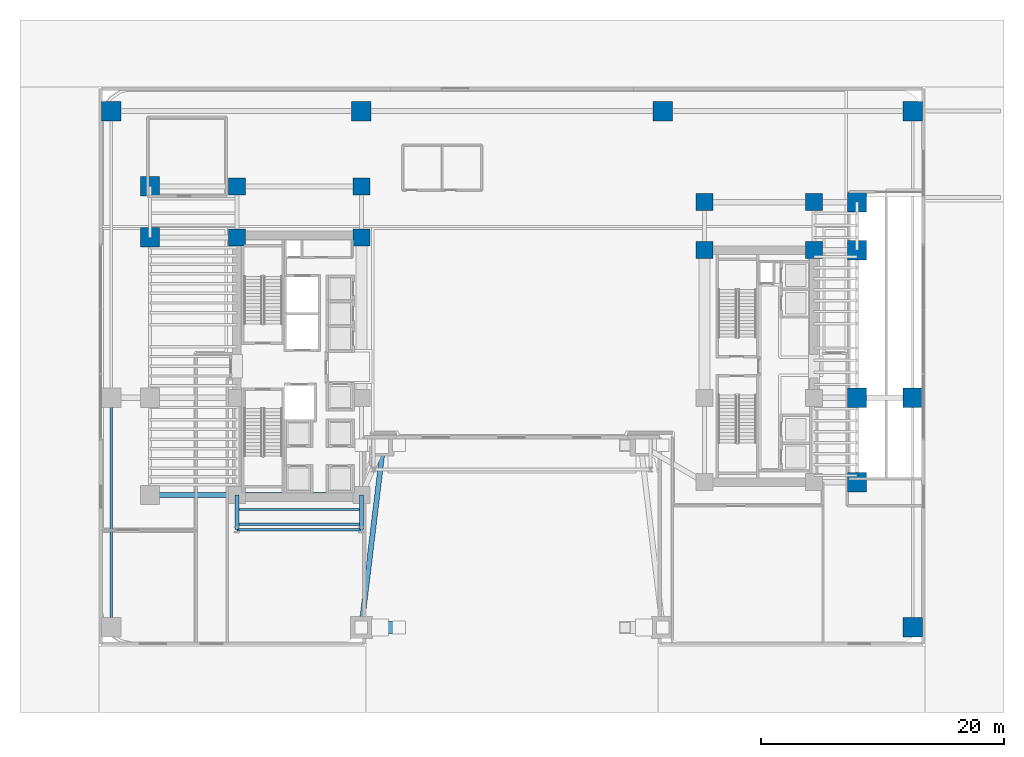
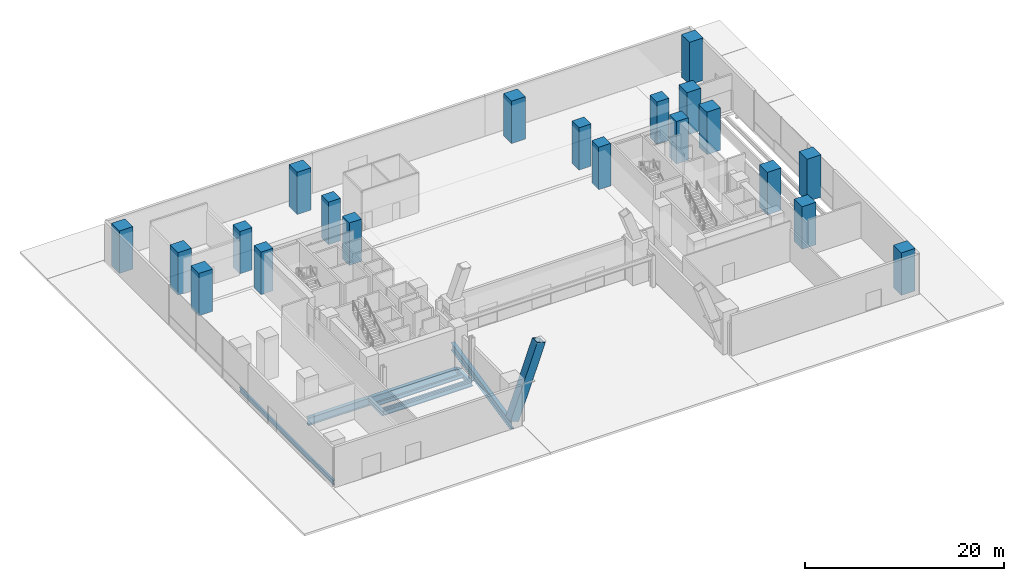
# One storey, part 2 of 27: 20 columns, 9 beams, 1 member.
"""IFC4 building model written with IfcOpenShell, lengths in metres."""

from ifc_helpers import new_model, si_unit, direction, frame, origin, origin_2d, place, context, subcontext, project, spatial, rectangle, hollow_rectangle, i_section, extrude, source, transform, mapped, material, material_profile, profile_set, type_object, element, save


model = new_model("IFC4")

# Units and contexts
model_context = context("Model", 3, precision=1e-05, world=origin(), true_north=direction((0.0, 1.0)))
body_context = subcontext(model_context, "Body", "Model", "MODEL_VIEW")
ifc_project = project(units=[si_unit("LENGTHUNIT", "METRE"), si_unit("AREAUNIT", "SQUARE_METRE"), si_unit("VOLUMEUNIT", "CUBIC_METRE"), si_unit("PLANEANGLEUNIT", "RADIAN"), si_unit("MASSUNIT", "GRAM", prefix="KILO")], contexts=[model_context])

# Site, building, storey
site_placement = place(None, origin())
site = spatial("IfcSite", under=ifc_project, at=site_placement, CompositionType="ELEMENT")
building_placement = place(site_placement, origin())
building = spatial("IfcBuilding", under=site, at=building_placement, Name="Valdorenza Pilgrim Sanctuary Tower", CompositionType="ELEMENT")
storey_placement = place(building_placement, origin())
storey = spatial("IfcBuildingStorey", under=building, at=storey_placement, Name="L00", CompositionType="ELEMENT", Elevation=0.0)

# Columns
ifc_material_1 = material(Name="Concrete C60/75", Category="concrete")
ifc_material_profile_1 = material_profile(ifc_material_1, rectangle(XDim=1.60009765625, YDim=1.60009765625, at=origin_2d()), Name="RC 1600x1600")
ifc_profile_set_1 = profile_set([ifc_material_profile_1], Name="Concrete C60/75")
column_type_1 = type_object("IfcColumnType", Name="COL-POD-1600", PredefinedType="COLUMN", material=ifc_profile_set_1)
shared_shape_1 = source(origin(), body_context, "Body", "SweptSolid", [
    extrude(rectangle(XDim=1.60009765625, YDim=1.60009765625, at=origin_2d()), origin(), (0.0, 0.0, 1.0), 5.199951171875),
])
for number, where, z_axis, x_axis, name in (
    (1, (-29.800048828125, 10.60009765625, 0.0), (0.0, 0.0, 1.0), (1.0, 0.0, 0.0), "L00 Perimeter Column WA-W-N1"),
    (2, (-29.800048828125, 14.800048828125, 0.0), (0.0, 0.0, 1.0), (1.0, 0.0, 0.0), "L00 Perimeter Column WA-W-N2"),
    (3, (28.39990234375, -9.550048828125, 0.0), (0.0, 0.0, 1.0), (1.0, 0.0, 0.0), "L00 Perimeter Column WB-E-S1"),
    (4, (28.39990234375, -2.60009765625, 0.0), (0.0, 0.0, 1.0), (1.0, 0.0, 0.0), "L00 Perimeter Column WB-E-M0"),
    (5, (28.39990234375, 9.550048828125, 0.0), (0.0, 0.0, 1.0), (1.0, 0.0, 0.0), "L00 Perimeter Column WB-E-N1"),
    (6, (28.39990234375, 13.5, 0.0), (0.0, 0.0, 1.0), (1.0, 0.0, 0.0), "L00 Perimeter Column WB-E-N2"),
    (7, (-33.0, 21.0, 0.0), (0.0, 0.0, 1.0), (1.0, 0.0, 0.0), "L00 Perimeter Column POD-NW"),
    (8, (-12.39990234375, 21.0, 0.0), (0.0, 0.0, 1.0), (1.0, 0.0, 0.0), "L00 Perimeter Column POD-NCW"),
    (9, (12.39990234375, 21.0, 0.0), (0.0, 0.0, 1.0), (1.0, 0.0, 0.0), "L00 Perimeter Column POD-NCE"),
    (10, (33.0, 21.0, 0.0), (0.0, 0.0, 1.0), (1.0, 0.0, 0.0), "L00 Perimeter Column POD-NE"),
    (11, (33.0, -2.60009765625, 0.0), (0.0, 0.0, 1.0), (1.0, 0.0, 0.0), "L00 Perimeter Column POD-ME"),
    (12, (33.0, -21.5, 0.0), (0.0, 0.0, 1.0), (1.0, 0.0, 0.0), "L00 Perimeter Column POD-SE"),
):
    element("IfcColumn", number, at=place(storey_placement, frame(where, z_axis=z_axis, x_axis=x_axis)), inside=storey, type_object=column_type_1, Name=name, PredefinedType="COLUMN", context=body_context, shape_type="MappedRepresentation", body=[
        mapped(shared_shape_1, transform((0.0, 0.0, 0.0), x_axis=(1.0, 0.0, 0.0), y_axis=(0.0, 1.0, 0.0), z_axis=(0.0, 0.0, 1.0), scale=1.0)),
    ])
ifc_material_profile_2 = material_profile(ifc_material_1, rectangle(XDim=1.39990234375, YDim=1.39990234375, at=origin_2d()), Name="RC 1400x1400")
ifc_profile_set_2 = profile_set([ifc_material_profile_2], Name="Concrete C60/75")
column_type_2 = type_object("IfcColumnType", Name="COL-Z1-1400", PredefinedType="COLUMN", material=ifc_profile_set_2)
shared_shape_2 = source(origin(), body_context, "Body", "SweptSolid", [
    extrude(rectangle(XDim=1.39990234375, YDim=1.39990234375, at=origin_2d()), origin(), (0.0, 0.0, 1.0), 5.199951171875),
])
for number, where, z_axis, x_axis, name in (
    (13, (-22.64990234375, 10.60009765625, 0.0), (0.0, 0.0, 1.0), (1.0, 0.0, 0.0), "L00 Column CA-W-N1"),
    (14, (-12.39990234375, 10.60009765625, 0.0), (0.0, 0.0, 1.0), (1.0, 0.0, 0.0), "L00 Column CA-E-N1"),
    (15, (-22.64990234375, 14.800048828125, 0.0), (0.0, 0.0, 1.0), (1.0, 0.0, 0.0), "L00 Column CA-W-N2"),
    (16, (-12.39990234375, 14.800048828125, 0.0), (0.0, 0.0, 1.0), (1.0, 0.0, 0.0), "L00 Column CA-E-N2"),
    (17, (15.85009765625, 9.550048828125, 0.0), (0.0, 0.0, 1.0), (1.0, 0.0, 0.0), "L00 Column CB-W-N1"),
    (18, (24.85009765625, 9.550048828125, 0.0), (0.0, 0.0, 1.0), (1.0, 0.0, 0.0), "L00 Column CB-E-N1"),
    (19, (15.85009765625, 13.5, 0.0), (0.0, 0.0, 1.0), (1.0, 0.0, 0.0), "L00 Column CB-W-N2"),
    (20, (24.85009765625, 13.5, 0.0), (0.0, 0.0, 1.0), (1.0, 0.0, 0.0), "L00 Column CB-E-N2"),
):
    element("IfcColumn", number, at=place(storey_placement, frame(where, z_axis=z_axis, x_axis=x_axis)), inside=storey, type_object=column_type_2, Name=name, PredefinedType="COLUMN", context=body_context, shape_type="MappedRepresentation", body=[
        mapped(shared_shape_2, transform((0.0, 0.0, 0.0), x_axis=(1.0, 0.0, 0.0), y_axis=(0.0, 1.0, 0.0), z_axis=(0.0, 0.0, 1.0), scale=1.0)),
    ])

# Beams
ifc_material_2 = material(Name="Steel ASTM A992 Grade 50", Category="steel")
ifc_material_profile_3 = material_profile(ifc_material_2, i_section(OverallWidth=0.423095703125, OverallDepth=0.947998046875, WebThickness=0.02392578125, FlangeThickness=0.042724609375, at=origin_2d()), Name="W36X302")
ifc_profile_set_3 = profile_set([ifc_material_profile_3], Name="Steel ASTM A992 Grade 50")
beam_type_1 = type_object("IfcBeamType", Name="STR-BM-GRD-W36A", PredefinedType="BEAM", material=ifc_profile_set_3)
shared_shape_3 = source(origin(), body_context, "Body", "SweptSolid", [
    extrude(i_section(OverallWidth=0.423095703125, OverallDepth=0.947998046875, WebThickness=0.02392578125, FlangeThickness=0.042724609375, at=origin_2d()), origin(), (0.0, 0.0, 1.0), 7.150146484375),
])
beam_1_placement = place(storey_placement, frame((-29.800048828125, -10.60009765625, -0.75390625), z_axis=(1.0, 0.0, 0.0), x_axis=(0.0, 1.0, 0.0)))
element("IfcBeam", 21, at=beam_1_placement, inside=storey, type_object=beam_type_1, Name="L00 Floor Girder WA-XW-S1", PredefinedType="BEAM", context=body_context, shape_type="MappedRepresentation", body=[
    mapped(shared_shape_3, transform((0.0, 0.0, 0.0), x_axis=(1.0, 0.0, 0.0), y_axis=(0.0, 1.0, 0.0), z_axis=(0.0, 0.0, 1.0), scale=1.0)),
])
shared_shape_4 = source(origin(), body_context, "Body", "SweptSolid", [
    extrude(i_section(OverallWidth=0.423095703125, OverallDepth=0.947998046875, WebThickness=0.02392578125, FlangeThickness=0.042724609375, at=origin_2d()), origin(), (0.0, 0.0, 1.0), 10.25),
])
beam_2_placement = place(storey_placement, frame((-22.64990234375, -10.60009765625, -0.75390625), z_axis=(1.0, 0.0, 0.0), x_axis=(0.0, 1.0, 0.0)))
element("IfcBeam", 22, at=beam_2_placement, inside=storey, type_object=beam_type_1, Name="L00 Floor Girder CA-XC-S1", PredefinedType="BEAM", context=body_context, shape_type="MappedRepresentation", body=[
    mapped(shared_shape_4, transform((0.0, 0.0, 0.0), x_axis=(1.0, 0.0, 0.0), y_axis=(0.0, 1.0, 0.0), z_axis=(0.0, 0.0, 1.0), scale=1.0)),
])
ifc_material_profile_4 = material_profile(ifc_material_2, i_section(OverallWidth=0.214111328125, OverallDepth=0.549072265625, WebThickness=0.0146484375, FlangeThickness=0.023681640625, at=origin_2d()), Name="W21X93")
ifc_profile_set_4 = profile_set([ifc_material_profile_4], Name="Steel ASTM A992 Grade 50")
beam_type_2 = type_object("IfcBeamType", Name="STR-BM-SPN-W21A", PredefinedType="SPANDREL", material=ifc_profile_set_4)
shared_shape_5 = source(origin(), body_context, "Body", "SweptSolid", [
    extrude(i_section(OverallWidth=0.214111328125, OverallDepth=0.549072265625, WebThickness=0.0146484375, FlangeThickness=0.023681640625, at=origin_2d()), origin(), (0.0, 0.0, 1.0), 10.25),
])
beam_3_placement = place(storey_placement, frame((-22.64990234375, -13.449951171875, -0.554443359375), z_axis=(1.0, 0.0, 0.0), x_axis=(0.0, 1.0, 0.0)))
element("IfcBeam", 23, at=beam_3_placement, inside=storey, type_object=beam_type_2, Name="L00 South Spandrel WA-S-TIE", PredefinedType="SPANDREL", context=body_context, shape_type="MappedRepresentation", body=[
    mapped(shared_shape_5, transform((0.0, 0.0, 0.0), x_axis=(1.0, 0.0, 0.0), y_axis=(0.0, 1.0, 0.0), z_axis=(0.0, 0.0, 1.0), scale=1.0)),
])
ifc_material_profile_5 = material_profile(ifc_material_2, i_section(OverallWidth=0.323974609375, OverallDepth=0.611083984375, WebThickness=0.0126953125, FlangeThickness=0.01904296875, at=origin_2d()), Name="W24X104")
ifc_profile_set_5 = profile_set([ifc_material_profile_5], Name="Steel ASTM A992 Grade 50")
beam_type_3 = type_object("IfcBeamType", Name="STR-BM-GRD-W24B", PredefinedType="BEAM", material=ifc_profile_set_5)
shared_shape_6 = source(origin(), body_context, "Body", "SweptSolid", [
    extrude(i_section(OverallWidth=0.323974609375, OverallDepth=0.611083984375, WebThickness=0.0126953125, FlangeThickness=0.01904296875, at=origin_2d()), origin(), (0.0, 0.0, 1.0), 2.849853515625),
])
for number, where, z_axis, x_axis, name in (
    (24, (-22.64990234375, -13.449951171875, -0.58544921875), (0.0, 1.0, 0.0), (-1.0, 0.0, 0.0), "L00 Floor Girder WA-S-LW"),
    (25, (-12.39990234375, -13.449951171875, -0.58544921875), (0.0, 1.0, 0.0), (-1.0, 0.0, 0.0), "L00 Floor Girder WA-S-LE"),
):
    element("IfcBeam", number, at=place(storey_placement, frame(where, z_axis=z_axis, x_axis=x_axis)), inside=storey, type_object=beam_type_3, Name=name, PredefinedType="BEAM", context=body_context, shape_type="MappedRepresentation", body=[
        mapped(shared_shape_6, transform((0.0, 0.0, 0.0), x_axis=(1.0, 0.0, 0.0), y_axis=(0.0, 1.0, 0.0), z_axis=(0.0, 0.0, 1.0), scale=1.0)),
    ])
ifc_material_profile_6 = material_profile(ifc_material_2, i_section(OverallWidth=0.193115234375, OverallDepth=0.466064453125, WebThickness=0.011474609375, FlangeThickness=0.01904296875, at=origin_2d()), Name="W18X65")
ifc_profile_set_6 = profile_set([ifc_material_profile_6], Name="Steel ASTM A992 Grade 50")
beam_type_4 = type_object("IfcBeamType", Name="STR-BM-JST-W18A", PredefinedType="JOIST", material=ifc_profile_set_6)
shared_shape_7 = source(origin(), body_context, "Body", "SweptSolid", [
    extrude(i_section(OverallWidth=0.193115234375, OverallDepth=0.466064453125, WebThickness=0.011474609375, FlangeThickness=0.01904296875, at=origin_2d()), origin(), (0.0, 0.0, 1.0), 10.25),
])
for number, where, z_axis, x_axis, name in (
    (26, (-22.64990234375, -13.0, -0.512939453125), (1.0, 0.0, 0.0), (0.0, 1.0, 0.0), "L00 Composite Floor Joist JST-WAS-1"),
    (27, (-22.64990234375, -11.800048828125, -0.512939453125), (1.0, 0.0, 0.0), (0.0, 1.0, 0.0), "L00 Composite Floor Joist JST-WAS-2"),
):
    element("IfcBeam", number, at=place(storey_placement, frame(where, z_axis=z_axis, x_axis=x_axis)), inside=storey, type_object=beam_type_4, Name=name, PredefinedType="JOIST", context=body_context, shape_type="MappedRepresentation", body=[
        mapped(shared_shape_7, transform((0.0, 0.0, 0.0), x_axis=(1.0, 0.0, 0.0), y_axis=(0.0, 1.0, 0.0), z_axis=(0.0, 0.0, 1.0), scale=1.0)),
    ])
shared_shape_8 = source(origin(), body_context, "Body", "SweptSolid", [
    extrude(i_section(OverallWidth=0.214111328125, OverallDepth=0.549072265625, WebThickness=0.0146484375, FlangeThickness=0.023681640625, at=origin_2d()), origin(), (0.0, 0.0, 1.0), 18.89990234375),
])
beam_4_placement = place(storey_placement, frame((-33.0, -21.5, -0.554443359375), z_axis=(0.0, 1.0, 0.0), x_axis=(-1.0, 0.0, 0.0)))
element("IfcBeam", 28, at=beam_4_placement, inside=storey, type_object=beam_type_2, Name="L00 Floor Girder POD-SPN-WS", PredefinedType="SPANDREL", context=body_context, shape_type="MappedRepresentation", body=[
    mapped(shared_shape_8, transform((0.0, 0.0, 0.0), x_axis=(1.0, 0.0, 0.0), y_axis=(0.0, 1.0, 0.0), z_axis=(0.0, 0.0, 1.0), scale=1.0)),
])
shared_shape_9 = source(origin(), body_context, "Body", "SweptSolid", [
    extrude(i_section(OverallWidth=0.423095703125, OverallDepth=0.947998046875, WebThickness=0.02392578125, FlangeThickness=0.042724609375, at=origin_2d()), origin(), (0.0, 0.0, 1.0), 15.107666015625),
])
beam_5_placement = place(storey_placement, frame((-12.39990234375, -21.5, -0.75390625), z_axis=(0.119132476027, 0.992878367755, 0.0), x_axis=(-0.992878367755, 0.119132476027, 0.0)))
element("IfcBeam", 29, at=beam_5_placement, inside=storey, type_object=beam_type_1, Name="L00 Floor Girder POD-ARCH-W", PredefinedType="BEAM", context=body_context, shape_type="MappedRepresentation", body=[
    mapped(shared_shape_9, transform((0.0, 0.0, 0.0), x_axis=(1.0, 0.0, 0.0), y_axis=(0.0, 1.0, 0.0), z_axis=(0.0, 0.0, 1.0), scale=1.0)),
])

# Member
ifc_material_3 = material(Name="Steel ASTM A572 Grade 42", Category="steel")
ifc_material_profile_7 = material_profile(ifc_material_3, hollow_rectangle(XDim=1.0, YDim=1.0, WallThickness=0.080078125, at=origin_2d()), Name="BOX 1000x1000x80")
ifc_profile_set_7 = profile_set([ifc_material_profile_7], Name="Steel ASTM A572 Grade 42")
member_type = type_object("IfcMemberType", Name="STR-MB-ARCH-RIB", PredefinedType="CHORD", material=ifc_profile_set_7)
shared_shape_10 = source(origin(), body_context, "Body", "SweptSolid", [
    extrude(hollow_rectangle(XDim=1.0, YDim=1.0, WallThickness=0.080078125, at=origin_2d()), origin(), (0.0, 0.0, 1.0), 9.1181640625),
])
member_placement = place(storey_placement, frame((-12.39990234375, -21.5, 0.0), z_axis=(0.339968820363, 0.0, 0.940436707695), x_axis=(0.0, 1.0, 0.0)))
element("IfcMember", 30, at=member_placement, inside=storey, type_object=member_type, Name="Parabolic Portal Arch Rib SOUTH Seg 1", PredefinedType="CHORD", context=body_context, shape_type="MappedRepresentation", body=[
    mapped(shared_shape_10, transform((0.0, 0.0, 0.0), x_axis=(1.0, 0.0, 0.0), y_axis=(0.0, 1.0, 0.0), z_axis=(0.0, 0.0, 1.0), scale=1.0)),
])

save(model, "model.ifc")
